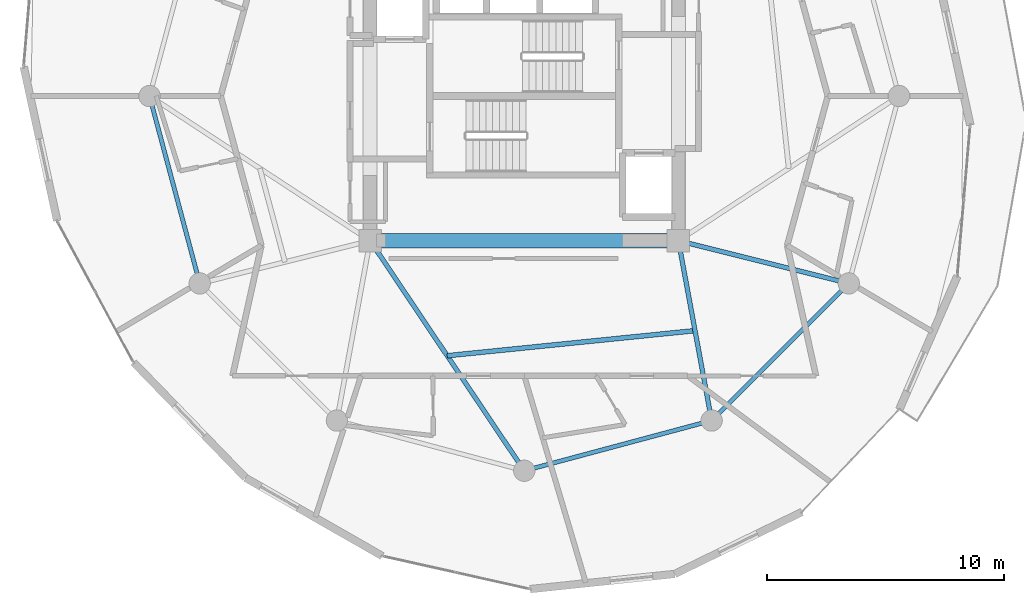
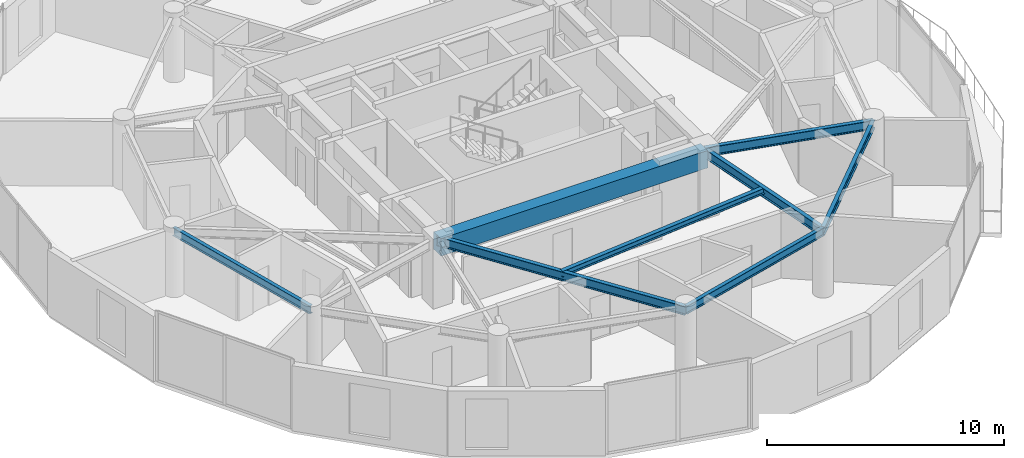
# One storey, part 6 of 23: 8 beams.
"""IFC4 building model written with IfcOpenShell, lengths in metres."""

from ifc_helpers import new_model, si_unit, direction, frame, origin, origin_2d, place, context, subcontext, project, spatial, rectangle, i_section, extrude, material, material_profile, profile_set, type_object, element, save


model = new_model("IFC4")

# Units and contexts
model_context = context("Model", 3, precision=1e-05, world=origin(), true_north=direction((0.0, 1.0)))
body_context = subcontext(model_context, "Body", "Model", "MODEL_VIEW")
ifc_project = project(units=[si_unit("LENGTHUNIT", "METRE"), si_unit("AREAUNIT", "SQUARE_METRE"), si_unit("VOLUMEUNIT", "CUBIC_METRE"), si_unit("PLANEANGLEUNIT", "RADIAN"), si_unit("MASSUNIT", "GRAM", prefix="KILO")], contexts=[model_context])

# Site, building, storey
site_placement = place(None, origin())
site = spatial("IfcSite", under=ifc_project, at=site_placement, CompositionType="ELEMENT")
building_placement = place(site_placement, origin())
building = spatial("IfcBuilding", under=site, at=building_placement, Name="Solvirekh Grand Hotel", CompositionType="ELEMENT")
storey_placement = place(building_placement, frame((0.0, 0.0, 176.800048828125)))
storey = spatial("IfcBuildingStorey", under=building, at=storey_placement, Name="L45", CompositionType="ELEMENT", Elevation=176.800048828125)

# Beams
ifc_material_1 = material(Name="Concrete C50/60", Category="concrete")
ifc_material_profile_1 = material_profile(ifc_material_1, rectangle(XDim=0.60009765625, YDim=0.89990234375, at=origin_2d()), Name="RC BEAM 600X900")
ifc_profile_set_1 = profile_set([ifc_material_profile_1], Name="Concrete C50/60")
beam_type_1 = type_object("IfcBeamType", Name="Beam_Core_RC900", PredefinedType="BEAM", material=ifc_profile_set_1)
beam_1_placement = place(storey_placement, frame((-6.5, -6.10009765625, 2.909912109375), z_axis=(1.0, 0.0, 0.0), x_axis=(0.0, 1.0, 0.0)))
element("IfcBeam", 1, at=beam_1_placement, inside=storey, type_object=beam_type_1, Name="L45 core coupling ring beam 1", PredefinedType="BEAM", context=body_context, shape_type="SweptSolid", body=[
    extrude(rectangle(XDim=0.60009765625, YDim=0.89990234375, at=origin_2d()), origin(), (0.0, 0.0, 1.0), 13.0),
])
ifc_material_2 = material(Name="Steel S355", Category="steel")
ifc_material_profile_2 = material_profile(ifc_material_2, i_section(OverallWidth=0.194091796875, OverallDepth=0.468994140625, WebThickness=0.010986328125, FlangeThickness=0.01904296875, FilletRadius=0.012939453125, at=origin_2d()), Name="W460X106")
ifc_profile_set_2 = profile_set([ifc_material_profile_2], Name="Steel S355")
beam_type_2 = type_object("IfcBeamType", Name="Beam_Radial_W460H", PredefinedType="BEAM", material=ifc_profile_set_2)
beam_2_placement = place(storey_placement, frame((-6.5, -6.10009765625, 3.125), z_axis=(0.556676926176, -0.830729077295, 0.0), x_axis=(0.830729077295, 0.556676926176, 0.0)))
element("IfcBeam", 2, at=beam_2_placement, inside=storey, type_object=beam_type_2, Name="L45 radial floor beam R10", PredefinedType="BEAM", context=body_context, shape_type="SweptSolid", body=[
    extrude(i_section(OverallWidth=0.194091796875, OverallDepth=0.468994140625, WebThickness=0.010986328125, FlangeThickness=0.01904296875, FilletRadius=0.012939453125, at=origin_2d()), origin(), (0.0, 0.0, 1.0), 11.676513671875),
])
beam_3_placement = place(storey_placement, frame((6.5, -6.10009765625, 3.125), z_axis=(0.181542769111, -0.983383049978, 0.0), x_axis=(0.983383049978, 0.181542769111, 0.0)))
element("IfcBeam", 3, at=beam_3_placement, inside=storey, type_object=beam_type_2, Name="L45 radial floor beam R11", PredefinedType="BEAM", context=body_context, shape_type="SweptSolid", body=[
    extrude(i_section(OverallWidth=0.194091796875, OverallDepth=0.468994140625, WebThickness=0.010986328125, FlangeThickness=0.01904296875, FilletRadius=0.012939453125, at=origin_2d()), origin(), (0.0, 0.0, 1.0), 7.711181640625),
])
beam_4_placement = place(storey_placement, frame((6.5, -6.10009765625, 3.125), z_axis=(0.970014367692, -0.243047580675, 0.0), x_axis=(0.243047580675, 0.970014367692, 0.0)))
element("IfcBeam", 4, at=beam_4_placement, inside=storey, type_object=beam_type_2, Name="L45 radial floor beam R12", PredefinedType="BEAM", context=body_context, shape_type="SweptSolid", body=[
    extrude(i_section(OverallWidth=0.194091796875, OverallDepth=0.468994140625, WebThickness=0.010986328125, FlangeThickness=0.01904296875, FilletRadius=0.012939453125, at=origin_2d()), origin(), (0.0, 0.0, 1.0), 7.4052734375),
])
ifc_material_profile_3 = material_profile(ifc_material_2, i_section(OverallWidth=0.202880859375, OverallDepth=0.302978515625, WebThickness=0.008056640625, FlangeThickness=0.012939453125, FilletRadius=0.010009765625, at=origin_2d()), Name="W310X60")
ifc_profile_set_3 = profile_set([ifc_material_profile_3], Name="Steel S355")
beam_type_3 = type_object("IfcBeamType", Name="Joist_Floor_W310", PredefinedType="JOIST", material=ifc_profile_set_3)
beam_5_placement = place(storey_placement, frame((-3.25, -10.949951171875, 3.2080078125), z_axis=(0.994915167737, 0.100716478326, 0.0), x_axis=(-0.100716478326, 0.994915167737, 0.0)))
element("IfcBeam", 5, at=beam_5_placement, inside=storey, type_object=beam_type_3, Name="L45 secondary composite floor joist 10", PredefinedType="JOIST", context=body_context, shape_type="SweptSolid", body=[
    extrude(i_section(OverallWidth=0.202880859375, OverallDepth=0.302978515625, WebThickness=0.008056640625, FlangeThickness=0.012939453125, FilletRadius=0.010009765625, at=origin_2d()), origin(), (0.0, 0.0, 1.0), 10.50341796875),
])
ifc_material_profile_4 = material_profile(ifc_material_2, i_section(OverallWidth=0.180908203125, OverallDepth=0.4169921875, WebThickness=0.010009765625, FlangeThickness=0.01611328125, FilletRadius=0.011962890625, at=origin_2d()), Name="W410X85")
ifc_profile_set_4 = profile_set([ifc_material_profile_4], Name="Steel S355")
beam_type_4 = type_object("IfcBeamType", Name="Spandrel_Ring_W410", PredefinedType="SPANDREL", material=ifc_profile_set_4)
for number, where, z_axis, x_axis, name in (
    (6, (-15.800048828125, 0.0, 3.15185546875), (0.258838541915, -0.965920601923, 0.0), (0.965920601923, 0.258838541915, 0.0), "L45 perimeter spandrel beam 7"),
    (7, (0.0, -15.800048828125, 3.15185546875), (0.965920601923, 0.258838541915, 0.0), (-0.258838541915, 0.965920601923, 0.0), "L45 perimeter spandrel beam 10"),
    (8, (7.89990234375, -13.68310546875, 3.15185546875), (0.707106781187, 0.707106781187, 0.0), (-0.707106781187, 0.707106781187, 0.0), "L45 perimeter spandrel beam 11"),
):
    element("IfcBeam", number, at=place(storey_placement, frame(where, z_axis=z_axis, x_axis=x_axis)), inside=storey, type_object=beam_type_4, Name=name, PredefinedType="SPANDREL", context=body_context, shape_type="SweptSolid", body=[
        extrude(i_section(OverallWidth=0.180908203125, OverallDepth=0.4169921875, WebThickness=0.010009765625, FlangeThickness=0.01611328125, FilletRadius=0.011962890625, at=origin_2d()), origin(), (0.0, 0.0, 1.0), 8.1787109375),
    ])

save(model, "model.ifc")
